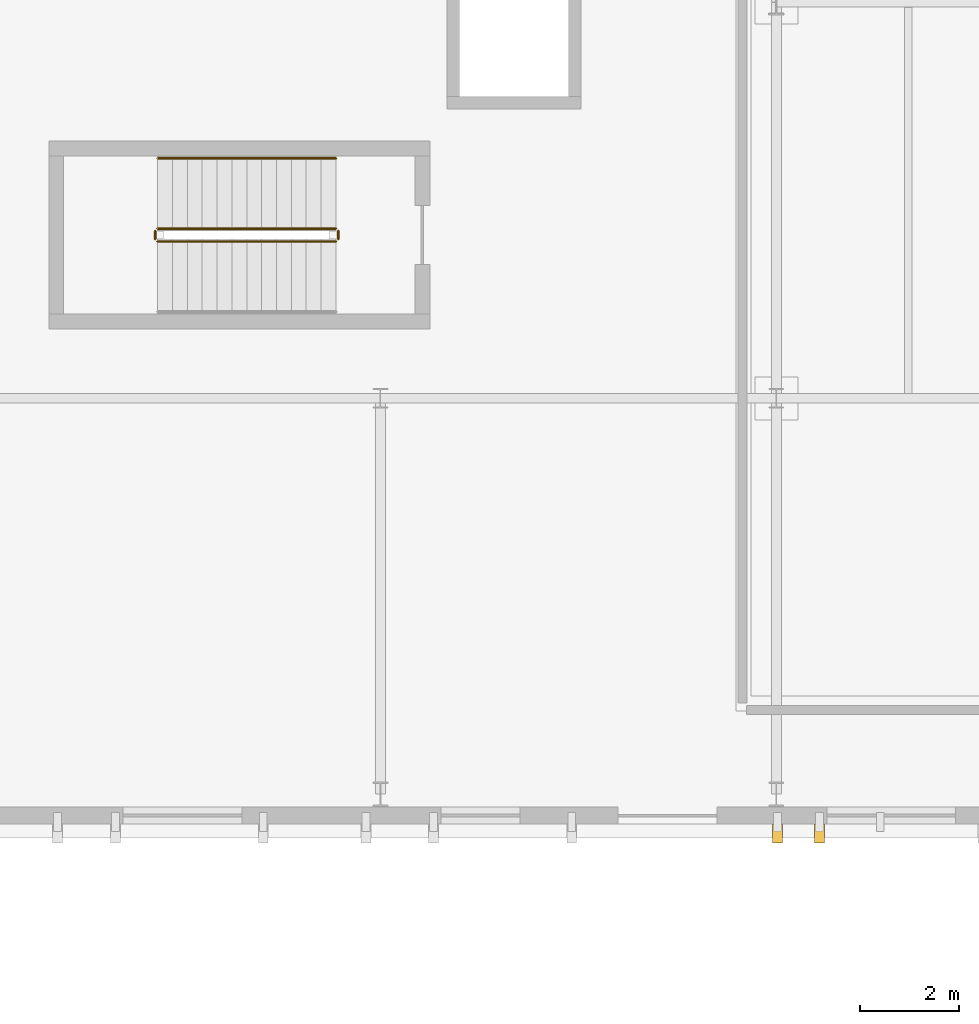
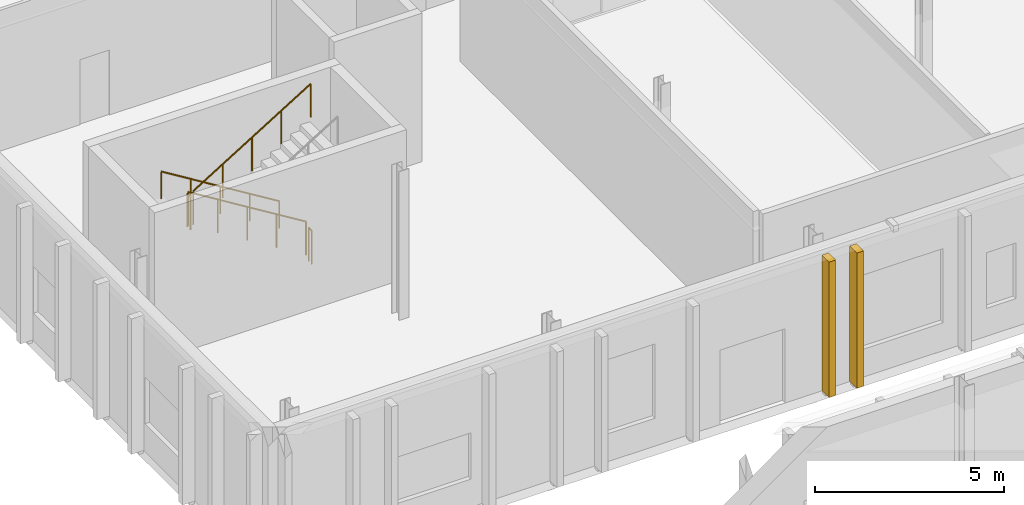
# One storey, part 54 of 60: 5 railings, 2 coverings.
"""IFC4 building model written with IfcOpenShell, lengths in metres."""

from ifc_helpers import new_model, si_unit, direction, frame, origin, origin_2d, place, context, subcontext, project, spatial, rectangle, circle, extrude, material, layer, layer_set, type_object, element, save


model = new_model("IFC4")

# Units and contexts
model_context = context("Model", 3, precision=1e-05, world=origin(), true_north=direction((0.0, 1.0)))
body_context = subcontext(model_context, "Body", "Model", "MODEL_VIEW")
ifc_project = project(units=[si_unit("LENGTHUNIT", "METRE"), si_unit("AREAUNIT", "SQUARE_METRE"), si_unit("VOLUMEUNIT", "CUBIC_METRE"), si_unit("PLANEANGLEUNIT", "RADIAN"), si_unit("MASSUNIT", "GRAM", prefix="KILO")], contexts=[model_context])

# Site, building, storey
site_placement = place(None, origin())
site = spatial("IfcSite", under=ifc_project, at=site_placement, CompositionType="ELEMENT")
building_placement = place(site_placement, origin())
building = spatial("IfcBuilding", under=site, at=building_placement, Name="Cymarion Research Institute", CompositionType="ELEMENT")
storey_placement = place(building_placement, origin())
storey = spatial("IfcBuildingStorey", under=building, at=storey_placement, Name="L00", CompositionType="ELEMENT", Elevation=0.0)

# Railings
ifc_material_1 = material(Name="Steel S355", Category="steel")
railing_type_1 = type_object("IfcRailingType", Name="PAINTED STEEL STAIR GUARDRAIL GR1 1100MM", PredefinedType="GUARDRAIL", material=ifc_material_1)
railing_1_placement = place(storey_placement, frame((13.699951171875, 96.929931640625, 0.1845703125)))
element("IfcRailing", 1, at=railing_1_placement, inside=storey, type_object=railing_type_1, Name="L00 ST9 stair guard 1", PredefinedType="GUARDRAIL", context=body_context, shape_type="SweptSolid", body=[
    extrude(circle(Radius=0.02392578125, at=origin_2d()), frame((0.0, 0.0, 1.076171875), z_axis=(-0.851654350407, 0.0, 0.524103870844), x_axis=(0.0, -1.0, 0.0)), (0.0, 0.0, 1.0), 4.226806640625),
    extrude(circle(Radius=0.02099609375, at=origin_2d()), origin(), (0.0, 0.0, 1.0), 1.052001953125),
    extrude(circle(Radius=0.02099609375, at=origin_2d()), frame((-0.89990234375, 0.0, 0.5537109375)), (0.0, 0.0, 1.0), 1.052001953125),
    extrude(circle(Radius=0.02099609375, at=origin_2d()), frame((-1.7998046875, 0.0, 1.107666015625)), (0.0, 0.0, 1.0), 1.052001953125),
    extrude(circle(Radius=0.02099609375, at=origin_2d()), frame((-2.699951171875, 0.0, 1.66162109375)), (0.0, 0.0, 1.0), 1.052001953125),
    extrude(circle(Radius=0.02099609375, at=origin_2d()), frame((-3.599853515625, 0.0, 2.21533203125)), (0.0, 0.0, 1.0), 1.052001953125),
])
railing_2_placement = place(storey_placement, frame((10.050048828125, 96.8798828125, 2.39990234375)))
element("IfcRailing", 2, at=railing_2_placement, inside=storey, type_object=railing_type_1, Name="L00 ST9 stair guard 2", PredefinedType="GUARDRAIL", context=body_context, shape_type="SweptSolid", body=[
    extrude(circle(Radius=0.02392578125, at=origin_2d()), frame((0.0, 0.0, 1.076171875), z_axis=(0.0, -1.0, 0.0), x_axis=(1.0, 0.0, 0.0)), (0.0, 0.0, 1.0), 0.159912109375),
    extrude(circle(Radius=0.02099609375, at=origin_2d()), origin(), (0.0, 0.0, 1.0), 1.052001953125),
    extrude(circle(Radius=0.02099609375, at=origin_2d()), frame((0.0, -0.159912109375, 0.0)), (0.0, 0.0, 1.0), 1.052001953125),
])
railing_3_placement = place(storey_placement, frame((10.10009765625, 96.669921875, 2.584716796875)))
element("IfcRailing", 3, at=railing_3_placement, inside=storey, type_object=railing_type_1, Name="L00 ST9 stair guard 3", PredefinedType="GUARDRAIL", context=body_context, shape_type="SweptSolid", body=[
    extrude(circle(Radius=0.02392578125, at=origin_2d()), frame((0.0, 0.0, 1.076171875), z_axis=(0.851654350407, 0.0, 0.524103870844), x_axis=(0.0, 1.0, 0.0)), (0.0, 0.0, 1.0), 4.226806640625),
    extrude(circle(Radius=0.02099609375, at=origin_2d()), origin(), (0.0, 0.0, 1.0), 1.052001953125),
    extrude(circle(Radius=0.02099609375, at=origin_2d()), frame((0.89990234375, 0.0, 0.5537109375)), (0.0, 0.0, 1.0), 1.052001953125),
    extrude(circle(Radius=0.02099609375, at=origin_2d()), frame((1.7998046875, 0.0, 1.107666015625)), (0.0, 0.0, 1.0), 1.052001953125),
    extrude(circle(Radius=0.02099609375, at=origin_2d()), frame((2.699951171875, 0.0, 1.66162109375)), (0.0, 0.0, 1.0), 1.052001953125),
    extrude(circle(Radius=0.02099609375, at=origin_2d()), frame((3.599853515625, 0.0, 2.21533203125)), (0.0, 0.0, 1.0), 1.052001953125),
])
railing_4_placement = place(storey_placement, frame((13.75, 96.8798828125, 0.0)))
element("IfcRailing", 4, at=railing_4_placement, inside=storey, type_object=railing_type_1, Name="L00 ST9 stair guard 4", PredefinedType="GUARDRAIL", context=body_context, shape_type="SweptSolid", body=[
    extrude(circle(Radius=0.02392578125, at=origin_2d()), frame((0.0, 0.0, 1.076171875), z_axis=(0.0, -1.0, 0.0), x_axis=(1.0, 0.0, 0.0)), (0.0, 0.0, 1.0), 0.159912109375),
    extrude(circle(Radius=0.02099609375, at=origin_2d()), origin(), (0.0, 0.0, 1.0), 1.052001953125),
    extrude(circle(Radius=0.02099609375, at=origin_2d()), frame((0.0, -0.159912109375, 0.0)), (0.0, 0.0, 1.0), 1.052001953125),
])

# Coverings
ifc_material_2 = material(Name="Precast concrete C45/55 architectural white", Category="concrete")
ifc_layer = layer(ifc_material_2, 0.199951171875)
ifc_layer_set = layer_set([ifc_layer], Name="Precast concrete C45/55 architectural white")
covering_type = type_object("IfcCoveringType", Name="SCULPTURAL WHITE PRECAST CONCRETE VERTICAL RIB RIB1 380X200", PredefinedType="CLADDING", material=ifc_layer_set)
for number, where, z_axis, x_axis, name in (
    (5, (22.622314453125, 84.7080078125, 0.010009765625), (0.0, 0.0, 1.0), (0.0, -1.0, 0.0), "L00 V5 sculptural precast vertical rib RIB1 #153"),
    (6, (23.469970703125, 84.7080078125, 0.010009765625), (0.0, 0.0, 1.0), (0.0, -1.0, 0.0), "L00 V5 sculptural precast vertical rib RIB1 #154"),
):
    element("IfcCovering", number, at=place(storey_placement, frame(where, z_axis=z_axis, x_axis=x_axis)), inside=storey, type_object=covering_type, Name=name, PredefinedType="CLADDING", context=body_context, shape_type="SweptSolid", body=[
        extrude(rectangle(XDim=0.3798828125, YDim=0.199951171875, at=origin_2d()), origin(), (0.0, 0.0, 1.0), 4.375),
    ])

# Railing
railing_type_2 = type_object("IfcRailingType", Name="STAINLESS STEEL STAIR HANDRAIL HR1 900MM", PredefinedType="HANDRAIL", material=ifc_material_1)
railing_5_placement = place(storey_placement, frame((13.699951171875, 98.35009765625, 0.1845703125)))
element("IfcRailing", 7, at=railing_5_placement, inside=storey, type_object=railing_type_2, Name="L00 ST9 stair handrail 1", PredefinedType="HANDRAIL", context=body_context, shape_type="SweptSolid", body=[
    extrude(circle(Radius=0.02392578125, at=origin_2d()), frame((0.0, 0.0, 0.8759765625), z_axis=(-0.851654350407, 0.0, 0.524103870844), x_axis=(0.0, -1.0, 0.0)), (0.0, 0.0, 1.0), 4.226806640625),
    extrude(circle(Radius=0.02099609375, at=origin_2d()), origin(), (0.0, 0.0, 1.0), 0.851806640625),
    extrude(circle(Radius=0.02099609375, at=origin_2d()), frame((-0.89990234375, 0.0, 0.5537109375)), (0.0, 0.0, 1.0), 0.851806640625),
    extrude(circle(Radius=0.02099609375, at=origin_2d()), frame((-1.7998046875, 0.0, 1.107666015625)), (0.0, 0.0, 1.0), 0.851806640625),
    extrude(circle(Radius=0.02099609375, at=origin_2d()), frame((-2.699951171875, 0.0, 1.66162109375)), (0.0, 0.0, 1.0), 0.851806640625),
    extrude(circle(Radius=0.02099609375, at=origin_2d()), frame((-3.599853515625, 0.0, 2.21533203125)), (0.0, 0.0, 1.0), 0.851806640625),
])

save(model, "model.ifc")
